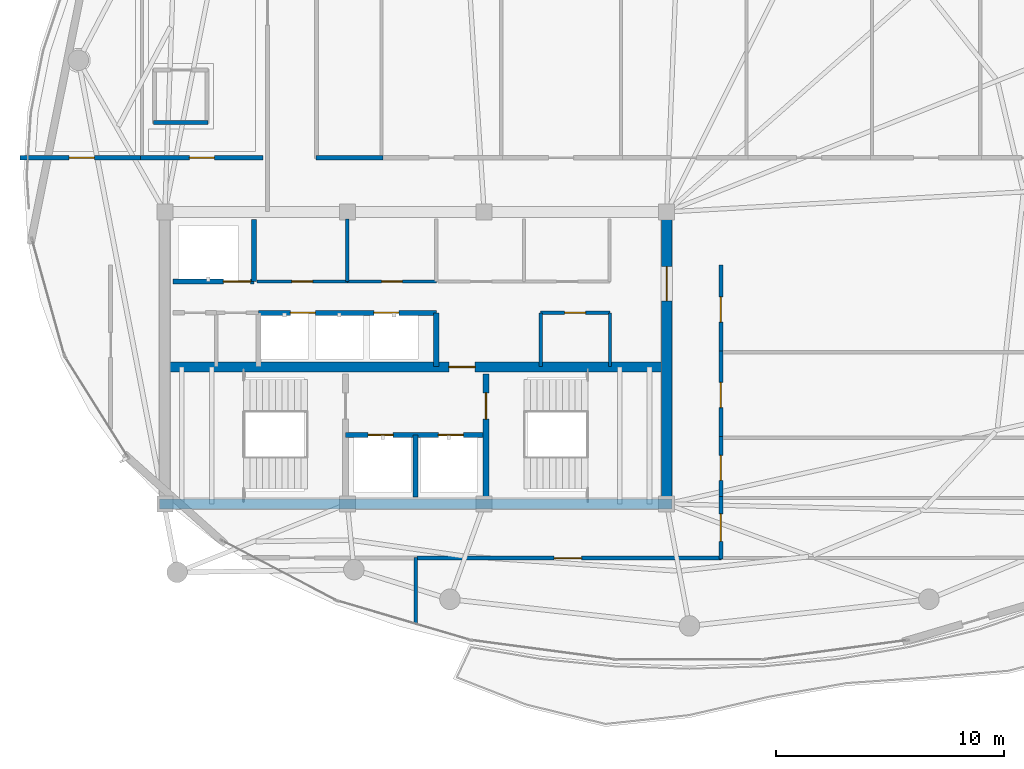
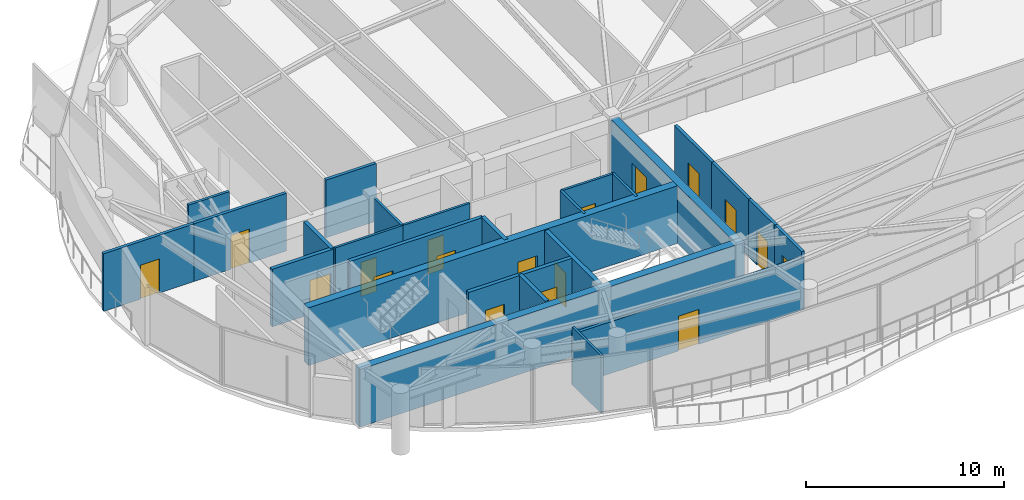
# One storey, part 24 of 29: 26 walls, 18 doors, 18 openings.
"""IFC4 building model written with IfcOpenShell, lengths in metres."""

from ifc_helpers import new_model, si_unit, direction, frame, frame_2d, origin, place, context, subcontext, project, spatial, rectangle, extrude, material, layer, layer_set, type_object, element, fill, save


model = new_model("IFC4")

# Units and contexts
model_context = context("Model", 3, precision=1e-05, world=origin(), true_north=direction((0.0, 1.0)))
body_context = subcontext(model_context, "Body", "Model", "MODEL_VIEW")
ifc_project = project(units=[si_unit("LENGTHUNIT", "METRE"), si_unit("AREAUNIT", "SQUARE_METRE"), si_unit("VOLUMEUNIT", "CUBIC_METRE"), si_unit("PLANEANGLEUNIT", "RADIAN"), si_unit("MASSUNIT", "GRAM", prefix="KILO")], contexts=[model_context])

# Site, building, storey
site_placement = place(None, origin())
site = spatial("IfcSite", under=ifc_project, at=site_placement, CompositionType="ELEMENT")
building_placement = place(site_placement, origin())
building = spatial("IfcBuilding", under=site, at=building_placement, Name="Kazevale Care Tower and Concert Hall", CompositionType="ELEMENT")
storey_placement = place(building_placement, frame((0.0, 0.0, 285.199951171875)))
storey = spatial("IfcBuildingStorey", under=building, at=storey_placement, Name="L75", CompositionType="ELEMENT", Elevation=285.199951171875)

# Wall, opening, door
ifc_material_1 = material(Name="Acoustic Gypsum on Steel Stud", Category="steel")
ifc_layer_1 = layer(ifc_material_1, 0.139892578125)
ifc_layer_set_1 = layer_set([ifc_layer_1], Name="Acoustic Gypsum on Steel Stud")
wall_type_1 = type_object("IfcWallType", Name="Acoustic Care & Suite Partition 140", PredefinedType="PARTITIONING", material=ifc_layer_set_1)
wall_1_placement = place(storey_placement, frame((26.050048828125, 33.35009765625, 0.0), z_axis=(0.0, 0.0, 1.0), x_axis=(1.0, 0.0, 0.0)))
wall_1 = element("IfcWall", 1, at=wall_1_placement, inside=storey, type_object=wall_type_1, Name="wall:L75:c_rpl1_s", PredefinedType="PARTITIONING", context=body_context, shape_type="SweptSolid", body=[
    extrude(rectangle(XDim=3.949951171875, YDim=0.139892578125, at=frame_2d((1.97509765625, 0.0))), origin(), (0.0, 0.0, 1.0), 3.56005859375),
])
opening_1_placement = place(wall_1_placement, frame((1.514892578125, 0.0, 0.0)))
opening_1 = element("IfcOpeningElement", 2, at=opening_1_placement, cuts=wall_1, Name="Opening ID-900", PredefinedType="OPENING", context=body_context, shape_type="SweptSolid", body=[
    extrude(rectangle(XDim=0.919921875, YDim=2.10009765625, at=frame_2d((0.4599609375, 1.050048828125))), frame((0.0, 0.079833984375, 0.0), z_axis=(0.0, -1.0, 0.0), x_axis=(1.0, 0.0, 0.0)), (0.0, 0.0, 1.0), 0.159912109375),
])
ifc_material_2 = material(Name="Oak Timber Fire Leaf", Category="wood")
door_type_1 = type_object("IfcDoorType", Name="Bathroom & Service Door 920x2100", OperationType="NOTDEFINED", PredefinedType="DOOR", material=ifc_material_2)
door_1_placement = place(opening_1_placement, origin())
door_1 = element("IfcDoor", 3, at=door_1_placement, inside=storey, type_object=door_type_1, Name="door:L75:d_rpl1", OperationType="SINGLE_SWING_LEFT", OverallHeight=2.10009765625, OverallWidth=0.919921875, PredefinedType="DOOR", context=body_context, shape_type="SweptSolid", body=[
    extrude(rectangle(XDim=0.919921875, YDim=2.10009765625, at=frame_2d((0.4599609375, 1.050048828125))), frame((0.0, 0.02490234375, 0.0), z_axis=(0.0, -1.0, 0.0), x_axis=(1.0, 0.0, 0.0)), (0.0, 0.0, 1.0), 0.050048828125),
])
fill(opening_1, door_1)

wall_2_placement = place(storey_placement, frame((30.0, 33.35009765625, 0.0), z_axis=(0.0, 0.0, 1.0), x_axis=(1.0, 0.0, 0.0)))
wall_2 = element("IfcWall", 4, at=wall_2_placement, inside=storey, type_object=wall_type_1, Name="wall:L75:c_rpl2_s", PredefinedType="PARTITIONING", context=body_context, shape_type="SweptSolid", body=[
    extrude(rectangle(XDim=3.919921875, YDim=0.139892578125, at=frame_2d((1.9599609375, 0.0))), origin(), (0.0, 0.0, 1.0), 3.56005859375),
])
opening_2_placement = place(wall_2_placement, frame((1.5, 0.0, 0.0)))
opening_2 = element("IfcOpeningElement", 5, at=opening_2_placement, cuts=wall_2, Name="Opening ID-900", PredefinedType="OPENING", context=body_context, shape_type="SweptSolid", body=[
    extrude(rectangle(XDim=0.919921875, YDim=2.10009765625, at=frame_2d((0.4599609375, 1.050048828125))), frame((0.0, 0.079833984375, 0.0), z_axis=(0.0, -1.0, 0.0), x_axis=(1.0, 0.0, 0.0)), (0.0, 0.0, 1.0), 0.159912109375),
])
door_2_placement = place(opening_2_placement, origin())
door_2 = element("IfcDoor", 6, at=door_2_placement, inside=storey, type_object=door_type_1, Name="door:L75:d_rpl2", OperationType="SINGLE_SWING_RIGHT", OverallHeight=2.10009765625, OverallWidth=0.919921875, PredefinedType="DOOR", context=body_context, shape_type="SweptSolid", body=[
    extrude(rectangle(XDim=0.919921875, YDim=2.10009765625, at=frame_2d((0.4599609375, 1.050048828125))), frame((0.0, 0.02490234375, 0.0), z_axis=(0.0, -1.0, 0.0), x_axis=(1.0, 0.0, 0.0)), (0.0, 0.0, 1.0), 0.050048828125),
])
fill(opening_2, door_2)

# Walls
wall_3_placement = place(storey_placement, frame((30.0, 33.35009765625, 0.0), z_axis=(0.0, 0.0, 1.0), x_axis=(0.0, 1.0, 0.0)))
element("IfcWall", 7, at=wall_3_placement, inside=storey, type_object=wall_type_1, Name="wall:L75:c_rpl_m", PredefinedType="PARTITIONING", context=body_context, shape_type="SweptSolid", body=[
    extrude(rectangle(XDim=2.75, YDim=0.139892578125, at=frame_2d((1.375, 0.0))), origin(), (0.0, 0.0, 1.0), 3.56005859375),
])
for number, where, z_axis, x_axis, name in (
    (8, (38.47998046875, 29.6201171875, 0.0), (0.0, 0.0, 1.0), (0.0, 1.0, 0.0), "wall:L75:kb_ew"),
    (9, (41.52001953125, 29.6201171875, 0.0), (0.0, 0.0, 1.0), (0.0, 1.0, 0.0), "wall:L75:kb_ee"),
):
    element("IfcWall", number, at=place(storey_placement, frame(where, z_axis=z_axis, x_axis=x_axis)), inside=storey, type_object=wall_type_1, Name=name, PredefinedType="PARTITIONING", context=body_context, shape_type="SweptSolid", body=[
        extrude(rectangle(XDim=2.35986328125, YDim=0.139892578125, at=frame_2d((1.179931640625, 0.0))), origin(), (0.0, 0.0, 1.0), 3.56005859375),
    ])

# Wall, opening, door
wall_4_placement = place(storey_placement, frame((38.47998046875, 31.97998046875, 0.0), z_axis=(0.0, 0.0, 1.0), x_axis=(1.0, 0.0, 0.0)))
wall_4 = element("IfcWall", 10, at=wall_4_placement, inside=storey, type_object=wall_type_1, Name="wall:L75:kb_en", PredefinedType="PARTITIONING", context=body_context, shape_type="SweptSolid", body=[
    extrude(rectangle(XDim=3.0400390625, YDim=0.139892578125, at=frame_2d((1.52001953125, 0.0))), origin(), (0.0, 0.0, 1.0), 3.56005859375),
])
opening_3_placement = place(wall_4_placement, frame((1.044921875, 0.0, 0.0)))
opening_3 = element("IfcOpeningElement", 11, at=opening_3_placement, cuts=wall_4, Name="Opening ID-900", PredefinedType="OPENING", context=body_context, shape_type="SweptSolid", body=[
    extrude(rectangle(XDim=0.919921875, YDim=2.10009765625, at=frame_2d((0.4599609375, 1.050048828125))), frame((0.0, 0.079833984375, 0.0), z_axis=(0.0, -1.0, 0.0), x_axis=(1.0, 0.0, 0.0)), (0.0, 0.0, 1.0), 0.159912109375),
])
door_3_placement = place(opening_3_placement, origin())
door_3 = element("IfcDoor", 12, at=door_3_placement, inside=storey, type_object=door_type_1, Name="door:L75:d_kbe", OperationType="SINGLE_SWING_LEFT", OverallHeight=2.10009765625, OverallWidth=0.919921875, PredefinedType="DOOR", context=body_context, shape_type="SweptSolid", body=[
    extrude(rectangle(XDim=0.919921875, YDim=2.10009765625, at=frame_2d((0.4599609375, 1.050048828125))), frame((0.0, 0.02490234375, 0.0), z_axis=(0.0, -1.0, 0.0), x_axis=(1.0, 0.0, 0.0)), (0.0, 0.0, 1.0), 0.050048828125),
])
fill(opening_3, door_3)

# Walls
wall_5_placement = place(storey_placement, frame((33.0, 21.2548828125, 0.0), z_axis=(0.0, 0.0, 1.0), x_axis=(0.0, -1.0, 0.0)))
element("IfcWall", 13, at=wall_5_placement, inside=storey, type_object=wall_type_1, Name="wall:L75:auto_034", PredefinedType="PARTITIONING", context=body_context, shape_type="SweptSolid", body=[
    extrude(rectangle(XDim=2.904296875, YDim=0.139892578125, at=frame_2d((1.4521484375, 0.0))), origin(), (0.0, 0.0, 1.0), 3.56005859375),
])
ifc_material_3 = material(Name="Concrete C50", Category="concrete")
ifc_layer_2 = layer(ifc_material_3, 0.449951171875)
ifc_layer_set_2 = layer_set([ifc_layer_2], Name="Concrete C50")
wall_type_2 = type_object("IfcWallType", Name="Core Shear Wall 450 C50", PredefinedType="SHEAR", material=ifc_layer_set_2)
wall_6_placement = place(storey_placement, frame((21.77490234375, 23.60009765625, 0.0), z_axis=(0.0, 0.0, 1.0), x_axis=(1.0, 0.0, 0.0)))
element("IfcWall", 14, at=wall_6_placement, inside=storey, type_object=wall_type_2, Name="wall:L75:core:S", PredefinedType="SHEAR", context=body_context, shape_type="SweptSolid", body=[
    extrude(rectangle(XDim=22.4501953125, YDim=0.449951171875, at=frame_2d((11.22509765625, 0.0))), origin(), (0.0, 0.0, 1.0), 3.56005859375),
])

# Wall, opening, door
wall_7_placement = place(storey_placement, frame((44.0, 23.824951171875, 0.0), z_axis=(0.0, 0.0, 1.0), x_axis=(0.0, 1.0, 0.0)))
wall_7 = element("IfcWall", 15, at=wall_7_placement, inside=storey, type_object=wall_type_2, Name="wall:L75:core:E", PredefinedType="SHEAR", context=body_context, shape_type="SweptSolid", body=[
    extrude(rectangle(XDim=12.35009765625, YDim=0.449951171875, at=frame_2d((6.175048828125, 0.0))), origin(), (0.0, 0.0, 1.0), 3.56005859375),
])
opening_4_placement = place(wall_7_placement, frame((8.675048828125, 0.0, 0.0)))
opening_4 = element("IfcOpeningElement", 16, at=opening_4_placement, cuts=wall_7, Name="Opening FD-60D", PredefinedType="OPENING", context=body_context, shape_type="SweptSolid", body=[
    extrude(rectangle(XDim=1.5, YDim=2.14990234375, at=frame_2d((0.75, 1.074951171875))), frame((0.0, 0.23486328125, 0.0), z_axis=(0.0, -1.0, 0.0), x_axis=(1.0, 0.0, 0.0)), (0.0, 0.0, 1.0), 0.469970703125),
])
door_type_2 = type_object("IfcDoorType", Name="Double Lobby & Auditorium Fire Door 1500x2150", OperationType="NOTDEFINED", PredefinedType="DOOR", material=ifc_material_2)
door_4_placement = place(opening_4_placement, origin())
door_4 = element("IfcDoor", 17, at=door_4_placement, inside=storey, type_object=door_type_2, Name="door:L75:core_east_out", OperationType="DOUBLE_DOOR_SINGLE_SWING", OverallHeight=2.14990234375, OverallWidth=1.5, PredefinedType="DOOR", context=body_context, shape_type="SweptSolid", body=[
    extrude(rectangle(XDim=1.5, YDim=2.14990234375, at=frame_2d((0.75, 1.074951171875))), frame((0.0, 0.02490234375, 0.0), z_axis=(0.0, -1.0, 0.0), x_axis=(1.0, 0.0, 0.0)), (0.0, 0.0, 1.0), 0.050048828125),
])
fill(opening_4, door_4)

wall_8_placement = place(storey_placement, frame((22.22509765625, 29.60009765625, 0.0), z_axis=(0.0, 0.0, 1.0), x_axis=(1.0, 0.0, 0.0)))
wall_8 = element("IfcWall", 18, at=wall_8_placement, inside=storey, type_object=wall_type_2, Name="wall:L75:core:M", PredefinedType="SHEAR", context=body_context, shape_type="SweptSolid", body=[
    extrude(rectangle(XDim=21.5498046875, YDim=0.449951171875, at=frame_2d((10.77490234375, 0.0))), origin(), (0.0, 0.0, 1.0), 3.56005859375),
])
opening_5_placement = place(wall_8_placement, frame((12.22509765625, 0.0, 0.0)))
opening_5 = element("IfcOpeningElement", 19, at=opening_5_placement, cuts=wall_8, Name="Opening FD-90", PredefinedType="OPENING", context=body_context, shape_type="SweptSolid", body=[
    extrude(rectangle(XDim=1.14990234375, YDim=2.10009765625, at=frame_2d((0.574951171875, 1.050048828125))), frame((0.0, 0.23486328125, 0.0), z_axis=(0.0, -1.0, 0.0), x_axis=(1.0, 0.0, 0.0)), (0.0, 0.0, 1.0), 0.469970703125),
])
ifc_material_4 = material(Name="Steel ASTM A572 Gr 50", Category="steel")
door_type_3 = type_object("IfcDoorType", Name="Pressurized Stair & Lobby Fire Door 1150x2100", OperationType="NOTDEFINED", PredefinedType="DOOR", material=ifc_material_4)
door_5_placement = place(opening_5_placement, origin())
door_5 = element("IfcDoor", 20, at=door_5_placement, inside=storey, type_object=door_type_3, Name="door:L75:ff_to_pax", OperationType="SINGLE_SWING_LEFT", OverallHeight=2.10009765625, OverallWidth=1.14990234375, PredefinedType="DOOR", context=body_context, shape_type="SweptSolid", body=[
    extrude(rectangle(XDim=1.14990234375, YDim=2.10009765625, at=frame_2d((0.574951171875, 1.050048828125))), frame((0.0, 0.02490234375, 0.0), z_axis=(0.0, -1.0, 0.0), x_axis=(1.0, 0.0, 0.0)), (0.0, 0.0, 1.0), 0.050048828125),
])
fill(opening_5, door_5)

# Wall, openings, doors
ifc_material_5 = material(Name="Concrete C40", Category="concrete")
ifc_layer_3 = layer(ifc_material_5, 0.219970703125)
ifc_layer_set_3 = layer_set([ifc_layer_3], Name="Concrete C40")
wall_type_3 = type_object("IfcWallType", Name="Elevator Hoistway Shaft Wall 220", PredefinedType="SOLIDWALL", material=ifc_layer_set_3)
wall_9_placement = place(storey_placement, frame((29.919921875, 26.6201171875, 0.0), z_axis=(0.0, 0.0, 1.0), x_axis=(1.0, 0.0, 0.0)))
wall_9 = element("IfcWall", 21, at=wall_9_placement, inside=storey, type_object=wall_type_3, Name="wall:L75:c_ffl_n", PredefinedType="SOLIDWALL", context=body_context, shape_type="SweptSolid", body=[
    extrude(rectangle(XDim=6.16015625, YDim=0.219970703125, at=frame_2d((3.080078125, 0.0))), origin(), (0.0, 0.0, 1.0), 3.56005859375),
])
opening_6_placement = place(wall_9_placement, frame((0.989990234375, 0.0, 0.0)))
opening_6 = element("IfcOpeningElement", 22, at=opening_6_placement, cuts=wall_9, Name="Opening LD-FF", PredefinedType="OPENING", context=body_context, shape_type="SweptSolid", body=[
    extrude(rectangle(XDim=1.10009765625, YDim=2.10009765625, at=frame_2d((0.550048828125, 1.050048828125))), frame((0.0, 0.119873046875, 0.0), z_axis=(0.0, -1.0, 0.0), x_axis=(1.0, 0.0, 0.0)), (0.0, 0.0, 1.0), 0.239990234375),
])
opening_7_placement = place(wall_9_placement, frame((4.070068359375, 0.0, 0.0)))
opening_7 = element("IfcOpeningElement", 23, at=opening_7_placement, cuts=wall_9, Name="Opening LD-FF", PredefinedType="OPENING", context=body_context, shape_type="SweptSolid", body=[
    extrude(rectangle(XDim=1.10009765625, YDim=2.10009765625, at=frame_2d((0.550048828125, 1.050048828125))), frame((0.0, 0.119873046875, 0.0), z_axis=(0.0, -1.0, 0.0), x_axis=(1.0, 0.0, 0.0)), (0.0, 0.0, 1.0), 0.239990234375),
])
ifc_material_6 = material(Name="Stainless Steel 316", Category="steel")
door_type_4 = type_object("IfcDoorType", Name="Emergency Lift Sliding Landing Door 1100x2100", OperationType="NOTDEFINED", PredefinedType="DOOR", material=ifc_material_6)
door_6_placement = place(opening_6_placement, origin())
door_6 = element("IfcDoor", 24, at=door_6_placement, inside=storey, type_object=door_type_4, Name="door:L75:ld_ffl1", OperationType="SLIDING_TO_LEFT", OverallHeight=2.10009765625, OverallWidth=1.10009765625, PredefinedType="DOOR", context=body_context, shape_type="SweptSolid", body=[
    extrude(rectangle(XDim=1.10009765625, YDim=2.10009765625, at=frame_2d((0.550048828125, 1.050048828125))), frame((0.0, 0.02490234375, 0.0), z_axis=(0.0, -1.0, 0.0), x_axis=(1.0, 0.0, 0.0)), (0.0, 0.0, 1.0), 0.050048828125),
])
fill(opening_6, door_6)
door_7_placement = place(opening_7_placement, origin())
door_7 = element("IfcDoor", 25, at=door_7_placement, inside=storey, type_object=door_type_4, Name="door:L75:ld_ffl2", OperationType="SLIDING_TO_RIGHT", OverallHeight=2.10009765625, OverallWidth=1.10009765625, PredefinedType="DOOR", context=body_context, shape_type="SweptSolid", body=[
    extrude(rectangle(XDim=1.10009765625, YDim=2.10009765625, at=frame_2d((0.550048828125, 1.050048828125))), frame((0.0, 0.02490234375, 0.0), z_axis=(0.0, -1.0, 0.0), x_axis=(1.0, 0.0, 0.0)), (0.0, 0.0, 1.0), 0.050048828125),
])
fill(opening_7, door_7)

# Walls
wall_10_placement = place(storey_placement, frame((33.0, 23.89990234375, 0.0), z_axis=(0.0, 0.0, 1.0), x_axis=(0.0, 1.0, 0.0)))
element("IfcWall", 26, at=wall_10_placement, inside=storey, type_object=wall_type_3, Name="wall:L75:c_ffl_m", PredefinedType="SOLIDWALL", context=body_context, shape_type="SweptSolid", body=[
    extrude(rectangle(XDim=2.72021484375, YDim=0.219970703125, at=frame_2d((1.360107421875, 0.0))), origin(), (0.0, 0.0, 1.0), 3.56005859375),
])
wall_11_placement = place(storey_placement, frame((25.919921875, 33.35009765625, 0.0), z_axis=(0.0, 0.0, 1.0), x_axis=(0.0, 1.0, 0.0)))
element("IfcWall", 27, at=wall_11_placement, inside=storey, type_object=wall_type_3, Name="wall:L75:c_svl_e", PredefinedType="SOLIDWALL", context=body_context, shape_type="SweptSolid", body=[
    extrude(rectangle(XDim=2.72998046875, YDim=0.219970703125, at=frame_2d((1.364990234375, 0.0))), origin(), (0.0, 0.0, 1.0), 3.56005859375),
])

# Wall, opening, door
wall_12_placement = place(storey_placement, frame((22.35009765625, 33.35009765625, 0.0), z_axis=(0.0, 0.0, 1.0), x_axis=(1.0, 0.0, 0.0)))
wall_12 = element("IfcWall", 28, at=wall_12_placement, inside=storey, type_object=wall_type_3, Name="wall:L75:c_svl_s", PredefinedType="SOLIDWALL", context=body_context, shape_type="SweptSolid", body=[
    extrude(rectangle(XDim=3.56982421875, YDim=0.219970703125, at=frame_2d((1.784912109375, 0.0))), origin(), (0.0, 0.0, 1.0), 3.56005859375),
])
opening_8_placement = place(wall_12_placement, frame((2.212890625, 0.0, 0.0)))
opening_8 = element("IfcOpeningElement", 29, at=opening_8_placement, cuts=wall_12, Name="Opening LD-SV", PredefinedType="OPENING", context=body_context, shape_type="SweptSolid", body=[
    extrude(rectangle(XDim=1.199951171875, YDim=2.10009765625, at=frame_2d((0.60009765625, 1.050048828125))), frame((0.0, 0.119873046875, 0.0), z_axis=(0.0, -1.0, 0.0), x_axis=(1.0, 0.0, 0.0)), (0.0, 0.0, 1.0), 0.239990234375),
])
door_type_5 = type_object("IfcDoorType", Name="Service Lift Sliding Landing Door 1200x2100", OperationType="NOTDEFINED", PredefinedType="DOOR", material=ifc_material_6)
door_8_placement = place(opening_8_placement, origin())
door_8 = element("IfcDoor", 30, at=door_8_placement, inside=storey, type_object=door_type_5, Name="door:L75:ld_svl1", OperationType="SLIDING_TO_LEFT", OverallHeight=2.10009765625, OverallWidth=1.199951171875, PredefinedType="DOOR", context=body_context, shape_type="SweptSolid", body=[
    extrude(rectangle(XDim=1.199951171875, YDim=2.10009765625, at=frame_2d((0.60009765625, 1.050048828125))), frame((0.0, 0.02490234375, 0.0), z_axis=(0.0, -1.0, 0.0), x_axis=(1.0, 0.0, 0.0)), (0.0, 0.0, 1.0), 0.050048828125),
])
fill(opening_8, door_8)

# Wall, openings, doors
wall_13_placement = place(storey_placement, frame((26.10009765625, 31.97998046875, 0.0), z_axis=(0.0, 0.0, 1.0), x_axis=(1.0, 0.0, 0.0)))
wall_13 = element("IfcWall", 31, at=wall_13_placement, inside=storey, type_object=wall_type_3, Name="wall:L75:c_ph_n", PredefinedType="SOLIDWALL", context=body_context, shape_type="SweptSolid", body=[
    extrude(rectangle(XDim=7.7998046875, YDim=0.219970703125, at=frame_2d((3.89990234375, 0.0))), origin(), (0.0, 0.0, 1.0), 3.56005859375),
])
opening_9_placement = place(wall_13_placement, frame((1.39990234375, 0.0, 0.0)))
opening_9 = element("IfcOpeningElement", 32, at=opening_9_placement, cuts=wall_13, Name="Opening LD-PAX", PredefinedType="OPENING", context=body_context, shape_type="SweptSolid", body=[
    extrude(rectangle(XDim=1.10009765625, YDim=2.10009765625, at=frame_2d((0.550048828125, 1.050048828125))), frame((0.0, 0.119873046875, 0.0), z_axis=(0.0, -1.0, 0.0), x_axis=(1.0, 0.0, 0.0)), (0.0, 0.0, 1.0), 0.239990234375),
])
opening_10_placement = place(wall_13_placement, frame((5.06591796875, 0.0, 0.0)))
opening_10 = element("IfcOpeningElement", 33, at=opening_10_placement, cuts=wall_13, Name="Opening LD-PAX", PredefinedType="OPENING", context=body_context, shape_type="SweptSolid", body=[
    extrude(rectangle(XDim=1.10009765625, YDim=2.10009765625, at=frame_2d((0.550048828125, 1.050048828125))), frame((0.0, 0.119873046875, 0.0), z_axis=(0.0, -1.0, 0.0), x_axis=(1.0, 0.0, 0.0)), (0.0, 0.0, 1.0), 0.239990234375),
])
door_type_6 = type_object("IfcDoorType", Name="Passenger Lift Sliding Landing Door 1100x2100", OperationType="NOTDEFINED", PredefinedType="DOOR", material=ifc_material_6)
door_9_placement = place(opening_9_placement, origin())
door_9 = element("IfcDoor", 34, at=door_9_placement, inside=storey, type_object=door_type_6, Name="door:L75:ld_ph1", OperationType="SLIDING_TO_LEFT", OverallHeight=2.10009765625, OverallWidth=1.10009765625, PredefinedType="DOOR", context=body_context, shape_type="SweptSolid", body=[
    extrude(rectangle(XDim=1.10009765625, YDim=2.10009765625, at=frame_2d((0.550048828125, 1.050048828125))), frame((0.0, 0.02490234375, 0.0), z_axis=(0.0, -1.0, 0.0), x_axis=(1.0, 0.0, 0.0)), (0.0, 0.0, 1.0), 0.050048828125),
])
fill(opening_9, door_9)
door_10_placement = place(opening_10_placement, origin())
door_10 = element("IfcDoor", 35, at=door_10_placement, inside=storey, type_object=door_type_6, Name="door:L75:ld_ph2", OperationType="SLIDING_TO_RIGHT", OverallHeight=2.10009765625, OverallWidth=1.10009765625, PredefinedType="DOOR", context=body_context, shape_type="SweptSolid", body=[
    extrude(rectangle(XDim=1.10009765625, YDim=2.10009765625, at=frame_2d((0.550048828125, 1.050048828125))), frame((0.0, 0.02490234375, 0.0), z_axis=(0.0, -1.0, 0.0), x_axis=(1.0, 0.0, 0.0)), (0.0, 0.0, 1.0), 0.050048828125),
])
fill(opening_10, door_10)

# Wall
wall_14_placement = place(storey_placement, frame((33.89990234375, 29.6201171875, 0.0), z_axis=(0.0, 0.0, 1.0), x_axis=(0.0, 1.0, 0.0)))
element("IfcWall", 36, at=wall_14_placement, inside=storey, type_object=wall_type_3, Name="wall:L75:c_ph_e", PredefinedType="SOLIDWALL", context=body_context, shape_type="SweptSolid", body=[
    extrude(rectangle(XDim=2.35986328125, YDim=0.219970703125, at=frame_2d((1.179931640625, 0.0))), origin(), (0.0, 0.0, 1.0), 3.56005859375),
])

# Wall, opening, door
ifc_material_7 = material(Name="Concrete C40 and Acoustic Gypsum", Category="concrete")
ifc_layer_4 = layer(ifc_material_7, 0.179931640625)
ifc_layer_set_4 = layer_set([ifc_layer_4], Name="Concrete C40 and Acoustic Gypsum")
wall_type_4 = type_object("IfcWallType", Name="Fire-Rated Corridor & Party Wall 180", PredefinedType="PARTITIONING", material=ifc_layer_set_4)
wall_15_placement = place(storey_placement, frame((15.65087890625, 38.77490234375, 0.0), z_axis=(0.0, 0.0, 1.0), x_axis=(1.0, 0.0, 0.0)))
wall_15 = element("IfcWall", 37, at=wall_15_placement, inside=storey, type_object=wall_type_4, Name="wall:L75:auto_001", PredefinedType="PARTITIONING", context=body_context, shape_type="SweptSolid", body=[
    extrude(rectangle(XDim=5.4140625, YDim=0.179931640625, at=frame_2d((2.70703125, 0.0))), origin(), (0.0, 0.0, 1.0), 3.56005859375),
])
opening_11_placement = place(wall_15_placement, frame((2.156982421875, 0.0, 0.0)))
opening_11 = element("IfcOpeningElement", 38, at=opening_11_placement, cuts=wall_15, Name="Opening ID-1100", PredefinedType="OPENING", context=body_context, shape_type="SweptSolid", body=[
    extrude(rectangle(XDim=1.10009765625, YDim=2.10009765625, at=frame_2d((0.550048828125, 1.050048828125))), frame((0.0, 0.099853515625, 0.0), z_axis=(0.0, -1.0, 0.0), x_axis=(1.0, 0.0, 0.0)), (0.0, 0.0, 1.0), 0.199951171875),
])
door_type_7 = type_object("IfcDoorType", Name="Care Bedroom Accessible Door 1100x2100", OperationType="NOTDEFINED", PredefinedType="DOOR", material=ifc_material_2)
door_11_placement = place(opening_11_placement, origin())
door_11 = element("IfcDoor", 39, at=door_11_placement, inside=storey, type_object=door_type_7, Name="door:L75:ad_001", OperationType="SINGLE_SWING_LEFT", OverallHeight=2.10009765625, OverallWidth=1.10009765625, PredefinedType="DOOR", context=body_context, shape_type="SweptSolid", body=[
    extrude(rectangle(XDim=1.10009765625, YDim=2.10009765625, at=frame_2d((0.550048828125, 1.050048828125))), frame((0.0, 0.02490234375, 0.0), z_axis=(0.0, -1.0, 0.0), x_axis=(1.0, 0.0, 0.0)), (0.0, 0.0, 1.0), 0.050048828125),
])
fill(opening_11, door_11)

wall_16_placement = place(storey_placement, frame((20.93505859375, 38.77490234375, 0.0), z_axis=(0.0, 0.0, 1.0), x_axis=(1.0, 0.0, 0.0)))
wall_16 = element("IfcWall", 40, at=wall_16_placement, inside=storey, type_object=wall_type_4, Name="wall:L75:auto_002", PredefinedType="PARTITIONING", context=body_context, shape_type="SweptSolid", body=[
    extrude(rectangle(XDim=5.3798828125, YDim=0.179931640625, at=frame_2d((2.68994140625, 0.0))), origin(), (0.0, 0.0, 1.0), 3.56005859375),
])
opening_12_placement = place(wall_16_placement, frame((2.139892578125, 0.0, 0.0)))
opening_12 = element("IfcOpeningElement", 41, at=opening_12_placement, cuts=wall_16, Name="Opening ID-1100", PredefinedType="OPENING", context=body_context, shape_type="SweptSolid", body=[
    extrude(rectangle(XDim=1.10009765625, YDim=2.10009765625, at=frame_2d((0.550048828125, 1.050048828125))), frame((0.0, 0.099853515625, 0.0), z_axis=(0.0, -1.0, 0.0), x_axis=(1.0, 0.0, 0.0)), (0.0, 0.0, 1.0), 0.199951171875),
])
door_12_placement = place(opening_12_placement, origin())
door_12 = element("IfcDoor", 42, at=door_12_placement, inside=storey, type_object=door_type_7, Name="door:L75:ad_002", OperationType="SINGLE_SWING_LEFT", OverallHeight=2.10009765625, OverallWidth=1.10009765625, PredefinedType="DOOR", context=body_context, shape_type="SweptSolid", body=[
    extrude(rectangle(XDim=1.10009765625, YDim=2.10009765625, at=frame_2d((0.550048828125, 1.050048828125))), frame((0.0, 0.02490234375, 0.0), z_axis=(0.0, -1.0, 0.0), x_axis=(1.0, 0.0, 0.0)), (0.0, 0.0, 1.0), 0.050048828125),
])
fill(opening_12, door_12)

# Wall
wall_17_placement = place(storey_placement, frame((28.6201171875, 38.77490234375, 0.0), z_axis=(0.0, 0.0, 1.0), x_axis=(1.0, 0.0, 0.0)))
element("IfcWall", 43, at=wall_17_placement, inside=storey, type_object=wall_type_4, Name="wall:L75:auto_005", PredefinedType="PARTITIONING", context=body_context, shape_type="SweptSolid", body=[
    extrude(rectangle(XDim=2.94482421875, YDim=0.179931640625, at=frame_2d((1.472412109375, 0.0))), origin(), (0.0, 0.0, 1.0), 3.56005859375),
])

# Wall, opening, door
wall_18_placement = place(storey_placement, frame((46.375, 23.925048828125, 0.0), z_axis=(0.0, 0.0, 1.0), x_axis=(0.0, -1.0, 0.0)))
wall_18 = element("IfcWall", 44, at=wall_18_placement, inside=storey, type_object=wall_type_4, Name="wall:L75:auto_014", PredefinedType="PARTITIONING", context=body_context, shape_type="SweptSolid", body=[
    extrude(rectangle(XDim=2.72998046875, YDim=0.179931640625, at=frame_2d((1.364990234375, 0.0))), origin(), (0.0, 0.0, 1.0), 3.56005859375),
])
opening_13_placement = place(wall_18_placement, frame((0.764892578125, 0.0, 0.0)))
opening_13 = element("IfcOpeningElement", 45, at=opening_13_placement, cuts=wall_18, Name="Opening ID-1200", PredefinedType="OPENING", context=body_context, shape_type="SweptSolid", body=[
    extrude(rectangle(XDim=1.199951171875, YDim=2.14990234375, at=frame_2d((0.60009765625, 1.074951171875))), frame((0.0, 0.099853515625, 0.0), z_axis=(0.0, -1.0, 0.0), x_axis=(1.0, 0.0, 0.0)), (0.0, 0.0, 1.0), 0.199951171875),
])
door_type_8 = type_object("IfcDoorType", Name="Clinical & Therapy Door 1200x2150", OperationType="NOTDEFINED", PredefinedType="DOOR", material=ifc_material_2)
door_13_placement = place(opening_13_placement, origin())
door_13 = element("IfcDoor", 46, at=door_13_placement, inside=storey, type_object=door_type_8, Name="door:L75:ad_014", OperationType="SINGLE_SWING_LEFT", OverallHeight=2.14990234375, OverallWidth=1.199951171875, PredefinedType="DOOR", context=body_context, shape_type="SweptSolid", body=[
    extrude(rectangle(XDim=1.199951171875, YDim=2.14990234375, at=frame_2d((0.60009765625, 1.074951171875))), frame((0.0, 0.02490234375, 0.0), z_axis=(0.0, -1.0, 0.0), x_axis=(1.0, 0.0, 0.0)), (0.0, 0.0, 1.0), 0.050048828125),
])
fill(opening_13, door_13)

wall_19_placement = place(storey_placement, frame((46.375, 26.56494140625, 0.0), z_axis=(0.0, 0.0, 1.0), x_axis=(0.0, -1.0, 0.0)))
wall_19 = element("IfcWall", 47, at=wall_19_placement, inside=storey, type_object=wall_type_4, Name="wall:L75:auto_015", PredefinedType="PARTITIONING", context=body_context, shape_type="SweptSolid", body=[
    extrude(rectangle(XDim=2.77001953125, YDim=0.179931640625, at=frame_2d((1.385009765625, 0.0))), origin(), (0.0, 0.0, 1.0), 3.56005859375),
])
opening_14_placement = place(wall_19_placement, frame((0.8349609375, 0.0, 0.0)))
opening_14 = element("IfcOpeningElement", 48, at=opening_14_placement, cuts=wall_19, Name="Opening ID-1100", PredefinedType="OPENING", context=body_context, shape_type="SweptSolid", body=[
    extrude(rectangle(XDim=1.10009765625, YDim=2.10009765625, at=frame_2d((0.550048828125, 1.050048828125))), frame((0.0, 0.099853515625, 0.0), z_axis=(0.0, -1.0, 0.0), x_axis=(1.0, 0.0, 0.0)), (0.0, 0.0, 1.0), 0.199951171875),
])
door_14_placement = place(opening_14_placement, origin())
door_14 = element("IfcDoor", 49, at=door_14_placement, inside=storey, type_object=door_type_7, Name="door:L75:ad_015", OperationType="SINGLE_SWING_LEFT", OverallHeight=2.10009765625, OverallWidth=1.10009765625, PredefinedType="DOOR", context=body_context, shape_type="SweptSolid", body=[
    extrude(rectangle(XDim=1.10009765625, YDim=2.10009765625, at=frame_2d((0.550048828125, 1.050048828125))), frame((0.0, 0.02490234375, 0.0), z_axis=(0.0, -1.0, 0.0), x_axis=(1.0, 0.0, 0.0)), (0.0, 0.0, 1.0), 0.050048828125),
])
fill(opening_14, door_14)

wall_20_placement = place(storey_placement, frame((46.375, 30.31494140625, 0.0), z_axis=(0.0, 0.0, 1.0), x_axis=(0.0, -1.0, 0.0)))
wall_20 = element("IfcWall", 50, at=wall_20_placement, inside=storey, type_object=wall_type_4, Name="wall:L75:auto_016", PredefinedType="PARTITIONING", context=body_context, shape_type="SweptSolid", body=[
    extrude(rectangle(XDim=3.8798828125, YDim=0.179931640625, at=frame_2d((1.93994140625, 0.0))), origin(), (0.0, 0.0, 1.0), 3.56005859375),
])
opening_15_placement = place(wall_20_placement, frame((1.389892578125, 0.0, 0.0)))
opening_15 = element("IfcOpeningElement", 51, at=opening_15_placement, cuts=wall_20, Name="Opening ID-1100", PredefinedType="OPENING", context=body_context, shape_type="SweptSolid", body=[
    extrude(rectangle(XDim=1.10009765625, YDim=2.10009765625, at=frame_2d((0.550048828125, 1.050048828125))), frame((0.0, 0.099853515625, 0.0), z_axis=(0.0, -1.0, 0.0), x_axis=(1.0, 0.0, 0.0)), (0.0, 0.0, 1.0), 0.199951171875),
])
door_15_placement = place(opening_15_placement, origin())
door_15 = element("IfcDoor", 52, at=door_15_placement, inside=storey, type_object=door_type_7, Name="door:L75:ad_016", OperationType="SINGLE_SWING_LEFT", OverallHeight=2.10009765625, OverallWidth=1.10009765625, PredefinedType="DOOR", context=body_context, shape_type="SweptSolid", body=[
    extrude(rectangle(XDim=1.10009765625, YDim=2.10009765625, at=frame_2d((0.550048828125, 1.050048828125))), frame((0.0, 0.02490234375, 0.0), z_axis=(0.0, -1.0, 0.0), x_axis=(1.0, 0.0, 0.0)), (0.0, 0.0, 1.0), 0.050048828125),
])
fill(opening_15, door_15)

wall_21_placement = place(storey_placement, frame((46.375, 34.06494140625, 0.0), z_axis=(0.0, 0.0, 1.0), x_axis=(0.0, -1.0, 0.0)))
wall_21 = element("IfcWall", 53, at=wall_21_placement, inside=storey, type_object=wall_type_4, Name="wall:L75:auto_017", PredefinedType="PARTITIONING", context=body_context, shape_type="SweptSolid", body=[
    extrude(rectangle(XDim=3.8798828125, YDim=0.179931640625, at=frame_2d((1.93994140625, 0.0))), origin(), (0.0, 0.0, 1.0), 3.56005859375),
])
opening_16_placement = place(wall_21_placement, frame((1.389892578125, 0.0, 0.0)))
opening_16 = element("IfcOpeningElement", 54, at=opening_16_placement, cuts=wall_21, Name="Opening ID-1100", PredefinedType="OPENING", context=body_context, shape_type="SweptSolid", body=[
    extrude(rectangle(XDim=1.10009765625, YDim=2.10009765625, at=frame_2d((0.550048828125, 1.050048828125))), frame((0.0, 0.099853515625, 0.0), z_axis=(0.0, -1.0, 0.0), x_axis=(1.0, 0.0, 0.0)), (0.0, 0.0, 1.0), 0.199951171875),
])
door_16_placement = place(opening_16_placement, origin())
door_16 = element("IfcDoor", 55, at=door_16_placement, inside=storey, type_object=door_type_7, Name="door:L75:ad_017", OperationType="SINGLE_SWING_LEFT", OverallHeight=2.10009765625, OverallWidth=1.10009765625, PredefinedType="DOOR", context=body_context, shape_type="SweptSolid", body=[
    extrude(rectangle(XDim=1.10009765625, YDim=2.10009765625, at=frame_2d((0.550048828125, 1.050048828125))), frame((0.0, 0.02490234375, 0.0), z_axis=(0.0, -1.0, 0.0), x_axis=(1.0, 0.0, 0.0)), (0.0, 0.0, 1.0), 0.050048828125),
])
fill(opening_16, door_16)

wall_22_placement = place(storey_placement, frame((46.405029296875, 21.22509765625, 0.0), z_axis=(0.0, 0.0, 1.0), x_axis=(-1.0, 0.0, 0.0)))
wall_22 = element("IfcWall", 56, at=wall_22_placement, inside=storey, type_object=wall_type_4, Name="wall:L75:auto_019", PredefinedType="PARTITIONING", context=body_context, shape_type="SweptSolid", body=[
    extrude(rectangle(XDim=13.469970703125, YDim=0.179931640625, at=frame_2d((6.73486328125, 0.0))), origin(), (0.0, 0.0, 1.0), 3.196044921875),
])
opening_17_placement = place(wall_22_placement, frame((6.135009765625, 0.0, 0.0)))
opening_17 = element("IfcOpeningElement", 57, at=opening_17_placement, cuts=wall_22, Name="Opening ID-1200", PredefinedType="OPENING", context=body_context, shape_type="SweptSolid", body=[
    extrude(rectangle(XDim=1.199951171875, YDim=2.14990234375, at=frame_2d((0.60009765625, 1.074951171875))), frame((0.0, 0.099853515625, 0.0), z_axis=(0.0, -1.0, 0.0), x_axis=(1.0, 0.0, 0.0)), (0.0, 0.0, 1.0), 0.199951171875),
])
door_17_placement = place(opening_17_placement, origin())
door_17 = element("IfcDoor", 58, at=door_17_placement, inside=storey, type_object=door_type_8, Name="door:L75:ad_019", OperationType="SINGLE_SWING_LEFT", OverallHeight=2.14990234375, OverallWidth=1.199951171875, PredefinedType="DOOR", context=body_context, shape_type="SweptSolid", body=[
    extrude(rectangle(XDim=1.199951171875, YDim=2.14990234375, at=frame_2d((0.60009765625, 1.074951171875))), frame((0.0, 0.02490234375, 0.0), z_axis=(0.0, -1.0, 0.0), x_axis=(1.0, 0.0, 0.0)), (0.0, 0.0, 1.0), 0.050048828125),
])
fill(opening_17, door_17)

# Wall
ifc_layer_5 = layer(ifc_material_1, 0.159912109375)
ifc_layer_set_5 = layer_set([ifc_layer_5], Name="Acoustic Gypsum on Steel Stud")
wall_type_5 = type_object("IfcWallType", Name="Moisture-Resistant Bathroom Plumbing Wall 160", PredefinedType="PLUMBINGWALL", material=ifc_layer_set_5)
wall_23_placement = place(storey_placement, frame((21.510009765625, 40.324951171875, 0.0), z_axis=(0.0, 0.0, 1.0), x_axis=(1.0, 0.0, 0.0)))
element("IfcWall", 59, at=wall_23_placement, inside=storey, type_object=wall_type_5, Name="wall:L75:nb2a_ens_ws", PredefinedType="PLUMBINGWALL", context=body_context, shape_type="SweptSolid", body=[
    extrude(rectangle(XDim=2.3798828125, YDim=0.159912109375, at=frame_2d((1.18994140625, 0.0))), origin(), (0.0, 0.0, 1.0), 3.56005859375),
])

# Wall, opening, door
ifc_layer_6 = layer(ifc_material_5, 0.25)
ifc_layer_set_6 = layer_set([ifc_layer_6], Name="Concrete C40")
wall_type_6 = type_object("IfcWallType", Name="Pressurized Stair Shaft Wall 250", PredefinedType="SOLIDWALL", material=ifc_layer_set_6)
wall_24_placement = place(storey_placement, frame((36.080078125, 23.89990234375, 0.0), z_axis=(0.0, 0.0, 1.0), x_axis=(0.0, 1.0, 0.0)))
wall_24 = element("IfcWall", 60, at=wall_24_placement, inside=storey, type_object=wall_type_6, Name="wall:L75:c_st2_w", PredefinedType="SOLIDWALL", context=body_context, shape_type="SweptSolid", body=[
    extrude(rectangle(XDim=5.400146484375, YDim=0.25, at=frame_2d((2.7001953125, 0.0))), origin(), (0.0, 0.0, 1.0), 3.56005859375),
])
opening_18_placement = place(wall_24_placement, frame((3.4208984375, 0.0, 0.0)))
opening_18 = element("IfcOpeningElement", 61, at=opening_18_placement, cuts=wall_24, Name="Opening FD-90", PredefinedType="OPENING", context=body_context, shape_type="SweptSolid", body=[
    extrude(rectangle(XDim=1.14990234375, YDim=2.10009765625, at=frame_2d((0.574951171875, 1.050048828125))), frame((0.0, 0.135009765625, 0.0), z_axis=(0.0, -1.0, 0.0), x_axis=(1.0, 0.0, 0.0)), (0.0, 0.0, 1.0), 0.27001953125),
])
door_18_placement = place(opening_18_placement, origin())
door_18 = element("IfcDoor", 62, at=door_18_placement, inside=storey, type_object=door_type_3, Name="door:L75:st2", OperationType="SINGLE_SWING_LEFT", OverallHeight=2.10009765625, OverallWidth=1.14990234375, PredefinedType="DOOR", context=body_context, shape_type="SweptSolid", body=[
    extrude(rectangle(XDim=1.14990234375, YDim=2.10009765625, at=frame_2d((0.574951171875, 1.050048828125))), frame((0.0, 0.02490234375, 0.0), z_axis=(0.0, -1.0, 0.0), x_axis=(1.0, 0.0, 0.0)), (0.0, 0.0, 1.0), 0.050048828125),
])
fill(opening_18, door_18)

save(model, "model.ifc")
